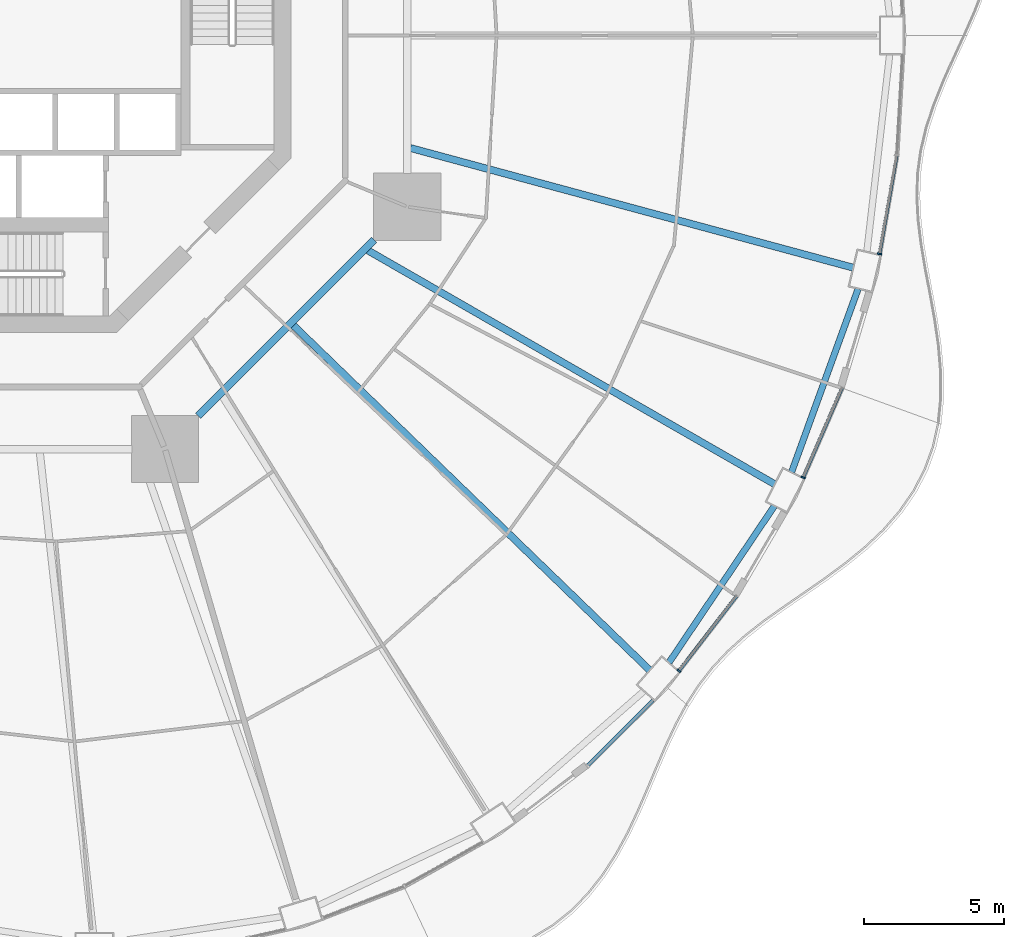
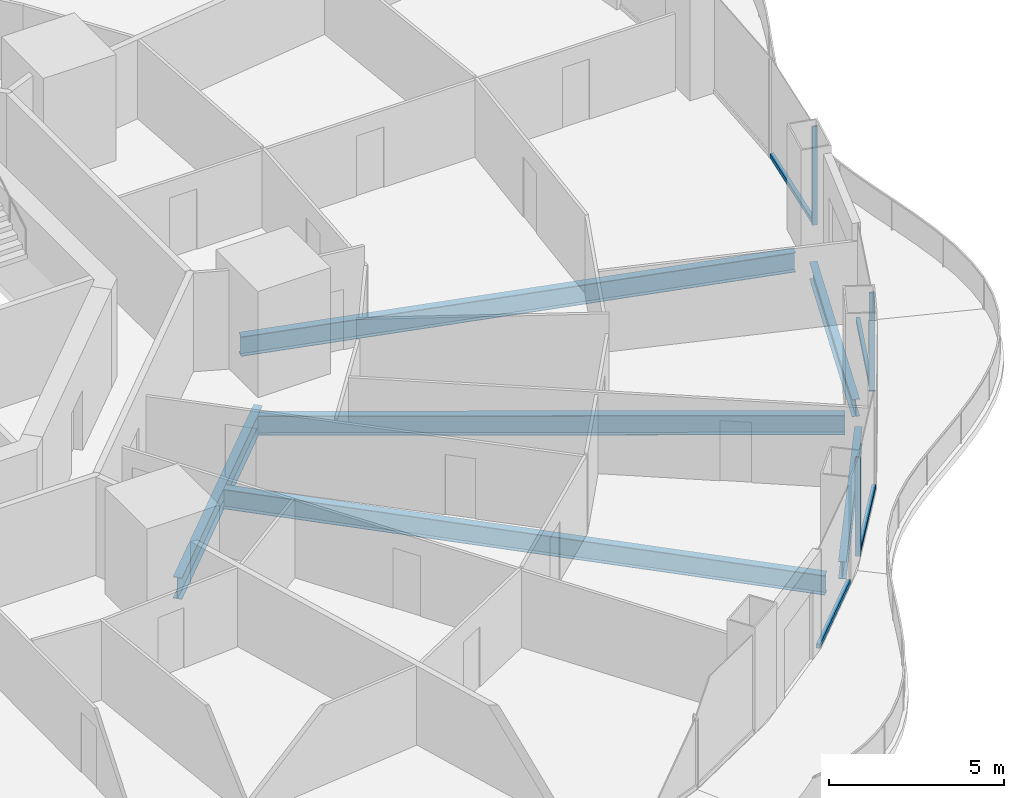
# One storey, part 5 of 22: 7 members, 6 beams, 4 elements without a shape of their own.
"""IFC4 building model written with IfcOpenShell, lengths in metres."""

from ifc_helpers import new_model, si_unit, direction, frame, origin, origin_2d, place, context, subcontext, project, spatial, rectangle, i_section, extrude, material, layer, layer_set, material_profile, profile_set, type_object, element, aggregate, save


model = new_model("IFC4")

# Units and contexts
model_context = context("Model", 3, precision=1e-05, world=origin(), true_north=direction((0.0, 1.0)))
body_context = subcontext(model_context, "Body", "Model", "MODEL_VIEW")
ifc_project = project(units=[si_unit("LENGTHUNIT", "METRE"), si_unit("AREAUNIT", "SQUARE_METRE"), si_unit("VOLUMEUNIT", "CUBIC_METRE"), si_unit("PLANEANGLEUNIT", "RADIAN"), si_unit("MASSUNIT", "GRAM", prefix="KILO")], contexts=[model_context])

# Site, building, storey
site_placement = place(None, origin())
site = spatial("IfcSite", under=ifc_project, at=site_placement, CompositionType="ELEMENT")
building_placement = place(site_placement, origin())
building = spatial("IfcBuilding", under=site, at=building_placement, Name="Nagisa Residences", CompositionType="ELEMENT")
storey_placement = place(building_placement, frame((0.0, 0.0, 49.199951171875)))
storey = spatial("IfcBuildingStorey", under=building, at=storey_placement, Name="L11", CompositionType="ELEMENT", Elevation=49.199951171875)

# Curtain wall, member
ifc_material_1 = material(Name="Concrete-coloured aluminium curtain wall system", Category="concrete")
ifc_layer = layer(ifc_material_1, 0.159912109375)
ifc_layer_set = layer_set([ifc_layer], Name="CW1 CURTAIN WALL")
curtain_wall_type = type_object("IfcCurtainWallType", Name="CW1 CURTAIN WALL", PredefinedType="NOTDEFINED", material=ifc_layer_set)
curtain_wall_1_placement = place(storey_placement, origin())
curtain_wall_1 = element("IfcCurtainWall", 1, at=curtain_wall_1_placement, inside=storey, type_object=curtain_wall_type, Name="cw:CW1:L11:42", PredefinedType="NOTDEFINED")
ifc_material_2 = material(Name="Concrete-coloured aluminium", Category="concrete")
ifc_material_profile_1 = material_profile(ifc_material_2, rectangle(XDim=0.159912109375, YDim=0.06005859375, at=origin_2d()), Name="CW1 MULLION 160x60")
ifc_profile_set_1 = profile_set([ifc_material_profile_1], Name="Concrete-coloured aluminium")
member_type_1 = type_object("IfcMemberType", Name="CW1 MULLION 160x60", PredefinedType="MULLION", material=ifc_profile_set_1)
member_1_placement = place(storey_placement, frame((24.48828125, -22.70751953125, 0.0), z_axis=(0.0, 0.0, 1.0), x_axis=(-0.792070340816, 0.610429828235, 0.0)))
member_1 = element("IfcMember", 2, at=member_1_placement, type_object=member_type_1, Name="CW1 mullion", PredefinedType="MULLION", context=body_context, shape_type="SweptSolid", body=[
    extrude(rectangle(XDim=0.159912109375, YDim=0.06005859375, at=origin_2d()), origin(), (0.0, 0.0, 1.0), 3.43994140625),
])

curtain_wall_2_placement = place(storey_placement, origin())
curtain_wall_2 = element("IfcCurtainWall", 3, at=curtain_wall_2_placement, inside=storey, type_object=curtain_wall_type, Name="cw:CW1:L11:44", PredefinedType="NOTDEFINED")
member_2_placement = place(storey_placement, frame((28.931640625, -15.79833984375, 0.0), z_axis=(0.0, 0.0, 1.0), x_axis=(-0.917543276295, 0.397635934147, 0.0)))
member_2 = element("IfcMember", 4, at=member_2_placement, type_object=member_type_1, Name="CW1 mullion", PredefinedType="MULLION", context=body_context, shape_type="SweptSolid", body=[
    extrude(rectangle(XDim=0.159912109375, YDim=0.06005859375, at=origin_2d()), origin(), (0.0, 0.0, 1.0), 3.43994140625),
])

curtain_wall_3_placement = place(storey_placement, origin())
curtain_wall_3 = element("IfcCurtainWall", 5, at=curtain_wall_3_placement, inside=storey, type_object=curtain_wall_type, Name="cw:CW1:L11:46", PredefinedType="NOTDEFINED")
member_3_placement = place(storey_placement, frame((31.65869140625, -7.80810546875, 0.0), z_axis=(0.0, 0.0, 1.0), x_axis=(-0.985063604377, 0.172190868898, 0.0)))
member_3 = element("IfcMember", 6, at=member_3_placement, type_object=member_type_1, Name="CW1 mullion", PredefinedType="MULLION", context=body_context, shape_type="SweptSolid", body=[
    extrude(rectangle(XDim=0.159912109375, YDim=0.06005859375, at=origin_2d()), origin(), (0.0, 0.0, 1.0), 3.43994140625),
])

curtain_wall_4_placement = place(storey_placement, origin())
curtain_wall_4 = element("IfcCurtainWall", 7, at=curtain_wall_4_placement, inside=storey, type_object=curtain_wall_type, Name="cw:CW1:L11:41", PredefinedType="NOTDEFINED")
ifc_material_3 = material(Name="Concrete-coloured aluminium", Category="concrete")
ifc_material_profile_2 = material_profile(ifc_material_3, rectangle(XDim=0.1201171875, YDim=0.14990234375, at=origin_2d()), Name="CW1 TRANSOM 120x150")
ifc_profile_set_2 = profile_set([ifc_material_profile_2], Name="Concrete-coloured aluminium")
member_type_2 = type_object("IfcMemberType", Name="CW1 TRANSOM 120x150", PredefinedType="USERDEFINED", material=ifc_profile_set_2)
member_4_placement = place(storey_placement, frame((21.197509765625, -26.1240234375, 0.074951171875), z_axis=(0.707876350734, 0.706336373176, 0.0), x_axis=(-0.706336373176, 0.707876350734, 0.0)))
member_4 = element("IfcMember", 8, at=member_4_placement, type_object=member_type_2, Name="CW1 transom", ObjectType="TRANSOM", PredefinedType="USERDEFINED", context=body_context, shape_type="SweptSolid", body=[
    extrude(rectangle(XDim=0.1201171875, YDim=0.14990234375, at=origin_2d()), origin(), (0.0, 0.0, 1.0), 3.329345703125),
])
aggregate(curtain_wall_4, [member_4])

# Member
member_5_placement = place(storey_placement, frame((24.469970703125, -22.731201171875, 0.074951171875), z_axis=(0.610457147657, 0.792049285635, 0.0), x_axis=(-0.792049285635, 0.610457147657, 0.0)))
member_5 = element("IfcMember", 9, at=member_5_placement, type_object=member_type_2, Name="CW1 transom", ObjectType="TRANSOM", PredefinedType="USERDEFINED", context=body_context, shape_type="SweptSolid", body=[
    extrude(rectangle(XDim=0.1201171875, YDim=0.14990234375, at=origin_2d()), origin(), (0.0, 0.0, 1.0), 3.3974609375),
])

aggregate(curtain_wall_1, [member_1, member_5])

member_6_placement = place(storey_placement, frame((28.919677734375, -15.825927734375, 0.074951171875), z_axis=(0.397624958345, 0.917548032803, 0.0), x_axis=(-0.917548032803, 0.397624958345, 0.0)))
member_6 = element("IfcMember", 10, at=member_6_placement, type_object=member_type_2, Name="CW1 transom", ObjectType="TRANSOM", PredefinedType="USERDEFINED", context=body_context, shape_type="SweptSolid", body=[
    extrude(rectangle(XDim=0.1201171875, YDim=0.14990234375, at=origin_2d()), origin(), (0.0, 0.0, 1.0), 3.51953125),
])

aggregate(curtain_wall_2, [member_2, member_6])

member_7_placement = place(storey_placement, frame((31.653564453125, -7.837646484375, 0.074951171875), z_axis=(0.172228889385, 0.985056957572, 0.0), x_axis=(-0.985056957572, 0.172228889385, 0.0)))
member_7 = element("IfcMember", 11, at=member_7_placement, type_object=member_type_2, Name="CW1 transom", ObjectType="TRANSOM", PredefinedType="USERDEFINED", context=body_context, shape_type="SweptSolid", body=[
    extrude(rectangle(XDim=0.1201171875, YDim=0.14990234375, at=origin_2d()), origin(), (0.0, 0.0, 1.0), 3.59765625),
])

aggregate(curtain_wall_3, [member_3, member_7])

# Beams
ifc_material_4 = material(Name="Steel ASTM A572 Gr 50", Category="steel")
ifc_material_profile_3 = material_profile(ifc_material_4, i_section(OverallWidth=0.264892578125, OverallDepth=0.7529296875, WebThickness=0.01318359375, FlangeThickness=0.01708984375, at=origin_2d()), Name="W760x147")
ifc_profile_set_3 = profile_set([ifc_material_profile_3], Name="Steel ASTM A572 Gr 50")
beam_type_1 = type_object("IfcBeamType", Name="Inner ring beam W760x147", PredefinedType="BEAM", material=ifc_profile_set_3)
beam_1_placement = place(storey_placement, frame((7.308837890625, -13.59619140625, -0.636474609375), z_axis=(0.707106781187, 0.707106781187, 0.0), x_axis=(-0.707106781187, 0.707106781187, 0.0)))
element("IfcBeam", 12, at=beam_1_placement, inside=storey, type_object=beam_type_1, Name="beam:L11:ib7", PredefinedType="BEAM", context=body_context, shape_type="SweptSolid", body=[
    extrude(i_section(OverallWidth=0.264892578125, OverallDepth=0.7529296875, WebThickness=0.01318359375, FlangeThickness=0.01708984375, at=origin_2d()), origin(), (0.0, 0.0, 1.0), 8.8916015625),
])
ifc_material_5 = material(Name="Steel ASTM A572 Gr 50", Category="steel")
ifc_material_profile_4 = material_profile(ifc_material_5, i_section(OverallWidth=0.22802734375, OverallDepth=0.60302734375, WebThickness=0.010498046875, FlangeThickness=0.014892578125, at=origin_2d()), Name="W610x101")
ifc_profile_set_4 = profile_set([ifc_material_profile_4], Name="Steel ASTM A572 Gr 50")
beam_type_2 = type_object("IfcBeamType", Name="Perimeter ring beam W610x101", PredefinedType="BEAM", material=ifc_profile_set_4)
beam_2_placement = place(storey_placement, frame((24.135498046875, -22.411865234375, -0.5615234375), z_axis=(0.558271879663, 0.829658067144, 0.0), x_axis=(-0.829658067144, 0.558271879663, 0.0)))
element("IfcBeam", 13, at=beam_2_placement, inside=storey, type_object=beam_type_2, Name="beam:L11:pb22", PredefinedType="BEAM", context=body_context, shape_type="SweptSolid", body=[
    extrude(i_section(OverallWidth=0.22802734375, OverallDepth=0.60302734375, WebThickness=0.010498046875, FlangeThickness=0.014892578125, at=origin_2d()), origin(), (0.0, 0.0, 1.0), 6.74169921875),
])
beam_3_placement = place(storey_placement, frame((28.515625, -15.60595703125, -0.5615234375), z_axis=(0.341411143183, 0.939914055279, 0.0), x_axis=(-0.939914055279, 0.341411143183, 0.0)))
element("IfcBeam", 14, at=beam_3_placement, inside=storey, type_object=beam_type_2, Name="beam:L11:pb23", PredefinedType="BEAM", context=body_context, shape_type="SweptSolid", body=[
    extrude(i_section(OverallWidth=0.22802734375, OverallDepth=0.60302734375, WebThickness=0.010498046875, FlangeThickness=0.014892578125, at=origin_2d()), origin(), (0.0, 0.0, 1.0), 6.96923828125),
])
ifc_material_6 = material(Name="Steel ASTM A572 Gr 50", Category="steel")
ifc_material_profile_5 = material_profile(ifc_material_6, i_section(OverallWidth=0.25390625, OverallDepth=0.68408203125, WebThickness=0.012451171875, FlangeThickness=0.018798828125, at=origin_2d()), Name="W690x140")
ifc_profile_set_5 = profile_set([ifc_material_profile_5], Name="Steel ASTM A572 Gr 50")
beam_type_3 = type_object("IfcBeamType", Name="Radial beam W690x140", PredefinedType="BEAM", material=ifc_profile_set_5)
beam_4_placement = place(storey_placement, frame((23.443115234375, -22.681640625, -0.60205078125), z_axis=(-0.718678305776, 0.695342716081, 0.0), x_axis=(-0.695342716081, -0.718678305776, 0.0)))
element("IfcBeam", 15, at=beam_4_placement, inside=storey, type_object=beam_type_3, Name="beam:L11:rb22", PredefinedType="BEAM", context=body_context, shape_type="SweptSolid", body=[
    extrude(i_section(OverallWidth=0.25390625, OverallDepth=0.68408203125, WebThickness=0.012451171875, FlangeThickness=0.018798828125, at=origin_2d()), origin(), (0.0, 0.0, 1.0), 17.722900390625),
])
beam_5_placement = place(storey_placement, frame((27.908447265625, -16.035400390625, -0.60205078125), z_axis=(-0.867068052258, 0.498189715623, 0.0), x_axis=(-0.498189715623, -0.867068052258, 0.0)))
element("IfcBeam", 16, at=beam_5_placement, inside=storey, type_object=beam_type_3, Name="beam:L11:rb23", PredefinedType="BEAM", context=body_context, shape_type="SweptSolid", body=[
    extrude(i_section(OverallWidth=0.25390625, OverallDepth=0.68408203125, WebThickness=0.012451171875, FlangeThickness=0.018798828125, at=origin_2d()), origin(), (0.0, 0.0, 1.0), 16.758056640625),
])
beam_6_placement = place(storey_placement, frame((30.713623046875, -8.29931640625, -0.60205078125), z_axis=(-0.965375968847, 0.260862490162, 0.0), x_axis=(-0.260862490162, -0.965375968847, 0.0)))
element("IfcBeam", 17, at=beam_6_placement, inside=storey, type_object=beam_type_3, Name="beam:L11:rb24", PredefinedType="BEAM", context=body_context, shape_type="SweptSolid", body=[
    extrude(i_section(OverallWidth=0.25390625, OverallDepth=0.68408203125, WebThickness=0.012451171875, FlangeThickness=0.018798828125, at=origin_2d()), origin(), (0.0, 0.0, 1.0), 16.3857421875),
])

save(model, "model.ifc")
